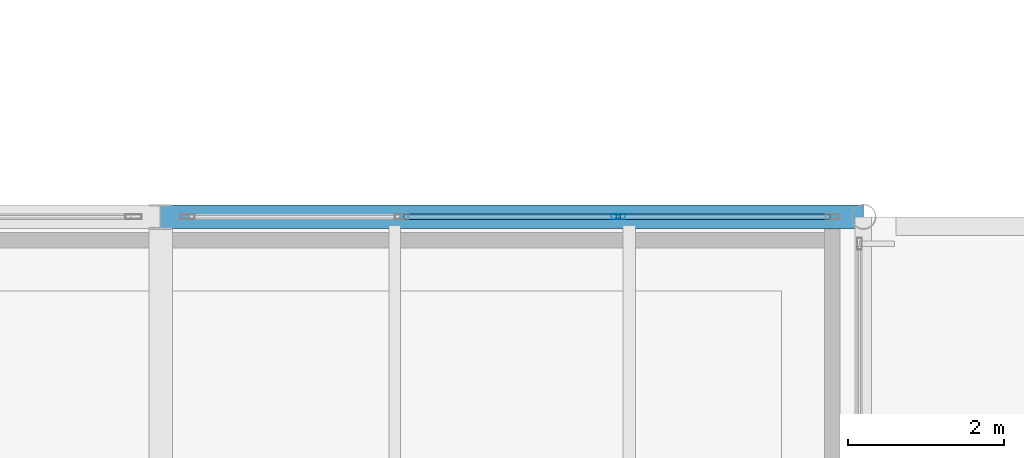
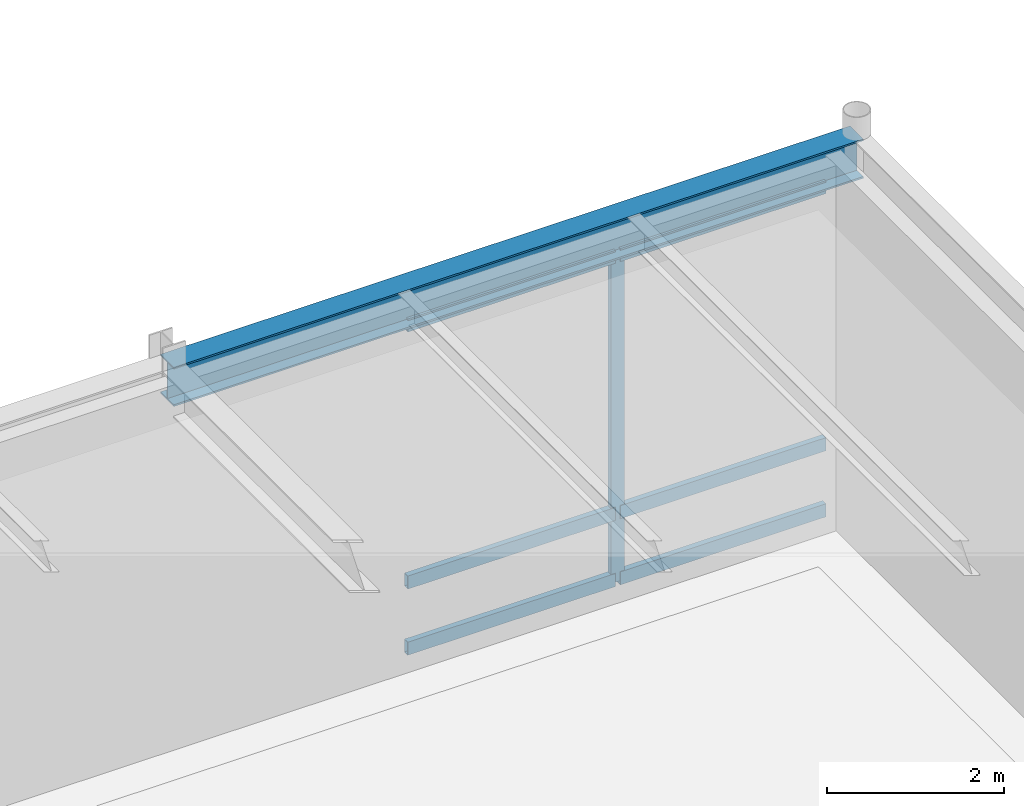
# One storey, part 87 of 143: 7 members, 1 beam, 1 element without a shape of its own.
"""IFC4 building model written with IfcOpenShell, lengths in metres."""

from ifc_helpers import new_model, si_unit, direction, frame, origin, origin_2d, place, context, subcontext, project, spatial, hollow_rectangle, i_section, extrude, material, layer, layer_set, material_profile, profile_set, type_object, element, aggregate, save


model = new_model("IFC4")

# Units and contexts
model_context = context("Model", 3, precision=1e-05, world=origin(), true_north=direction((0.0, 1.0)))
body_context = subcontext(model_context, "Body", "Model", "MODEL_VIEW")
ifc_project = project(units=[si_unit("LENGTHUNIT", "METRE"), si_unit("AREAUNIT", "SQUARE_METRE"), si_unit("VOLUMEUNIT", "CUBIC_METRE"), si_unit("PLANEANGLEUNIT", "RADIAN"), si_unit("MASSUNIT", "GRAM", prefix="KILO")], contexts=[model_context])

# Site, building, storey
site_placement = place(None, origin())
site = spatial("IfcSite", under=ifc_project, at=site_placement, CompositionType="ELEMENT")
building_placement = place(site_placement, origin())
building = spatial("IfcBuilding", under=site, at=building_placement, Name="Montelvaro Courts of Justice", CompositionType="ELEMENT")
storey_placement = place(building_placement, origin())
storey = spatial("IfcBuildingStorey", under=building, at=storey_placement, Name="L00", CompositionType="ELEMENT", Elevation=0.0)

# Beam
ifc_material_1 = material(Name="Steel S355", Category="steel")
ifc_material_profile_1 = material_profile(ifc_material_1, i_section(OverallWidth=0.300048828125, OverallDepth=0.5400390625, WebThickness=0.012451171875, FlangeThickness=0.02392578125, at=origin_2d()), Name="HEA 550")
ifc_profile_set_1 = profile_set([ifc_material_profile_1], Name="Steel S355")
beam_type = type_object("IfcBeamType", Name="Beam_HEA550", PredefinedType="USERDEFINED", material=ifc_profile_set_1)
beam_placement = place(storey_placement, frame((72.0, 108.0, 4.81005859375), z_axis=(1.0, 0.0, 0.0), x_axis=(0.0, 1.0, 0.0)))
element("IfcBeam", 1, at=beam_placement, inside=storey, type_object=beam_type, Name="Beam B-20 L00", ObjectType="GIRDER", PredefinedType="USERDEFINED", context=body_context, shape_type="SweptSolid", body=[
    extrude(i_section(OverallWidth=0.300048828125, OverallDepth=0.5400390625, WebThickness=0.012451171875, FlangeThickness=0.02392578125, at=origin_2d()), origin(), (0.0, 0.0, 1.0), 9.0),
])

# Curtain wall, members
ifc_material_2 = material(Name="Anodised aluminium EN AW-6063", Category="aluminium")
ifc_layer = layer(ifc_material_2, 0.159912109375)
ifc_layer_set = layer_set([ifc_layer], Name="Anodised aluminium EN AW-6063")
curtain_wall_type = type_object("IfcCurtainWallType", Name="CurtainWall_04_832x508", PredefinedType="USERDEFINED", material=ifc_layer_set)
curtain_wall_placement = place(storey_placement, origin())
curtain_wall = element("IfcCurtainWall", 2, at=curtain_wall_placement, inside=storey, type_object=curtain_wall_type, Name="Curtain Wall CW-04 (L00)", ObjectType="CURTAIN WALL", PredefinedType="USERDEFINED")
ifc_material_profile_2 = material_profile(ifc_material_2, hollow_rectangle(XDim=0.06005859375, YDim=0.179931640625, WallThickness=0.00439453125, at=origin_2d()), Name="ALU-M 60x180")
ifc_profile_set_2 = profile_set([ifc_material_profile_2], Name="Anodised aluminium EN AW-6063")
member_type_1 = type_object("IfcMemberType", Name="CurtainWall_Mullion_60x180", PredefinedType="MULLION", material=ifc_profile_set_2)
member_1_placement = place(storey_placement, frame((77.861572265625, 108.0, 0.0), z_axis=(0.0, 0.0, 1.0), x_axis=(0.0, -1.0, 0.0)))
member_1 = element("IfcMember", 3, at=member_1_placement, type_object=member_type_1, Name="CW-04 mullion 2", PredefinedType="MULLION", context=body_context, shape_type="SweptSolid", body=[
    extrude(hollow_rectangle(XDim=0.06005859375, YDim=0.179931640625, WallThickness=0.00439453125, at=origin_2d()), origin(), (0.0, 0.0, 1.0), 4.534912109375),
])
ifc_material_profile_3 = material_profile(ifc_material_2, hollow_rectangle(XDim=0.074951171875, YDim=0.179931640625, WallThickness=0.0048828125, at=origin_2d()), Name="ALU-T 75x180")
ifc_profile_set_3 = profile_set([ifc_material_profile_3], Name="Anodised aluminium EN AW-6063")
member_type_2 = type_object("IfcMemberType", Name="CurtainWall_Transom_75x180", PredefinedType="USERDEFINED", material=ifc_profile_set_3)
member_2_placement = place(storey_placement, frame((80.574951171875, 108.0, 0.03759765625), z_axis=(-1.0, 0.0, 0.0), x_axis=(0.0, -1.0, 0.0)))
member_2 = element("IfcMember", 4, at=member_2_placement, type_object=member_type_2, Name="CW-04 transom 1.1", ObjectType="TRANSOM", PredefinedType="USERDEFINED", context=body_context, shape_type="SweptSolid", body=[
    extrude(hollow_rectangle(XDim=0.074951171875, YDim=0.179931640625, WallThickness=0.0048828125, at=origin_2d()), origin(), (0.0, 0.0, 1.0), 2.683349609375),
])
member_3_placement = place(storey_placement, frame((80.574951171875, 108.0, 0.949951171875), z_axis=(-1.0, 0.0, 0.0), x_axis=(0.0, -1.0, 0.0)))
member_3 = element("IfcMember", 5, at=member_3_placement, type_object=member_type_2, Name="CW-04 transom 1.2", ObjectType="TRANSOM", PredefinedType="USERDEFINED", context=body_context, shape_type="SweptSolid", body=[
    extrude(hollow_rectangle(XDim=0.074951171875, YDim=0.179931640625, WallThickness=0.0048828125, at=origin_2d()), origin(), (0.0, 0.0, 1.0), 2.683349609375),
])
member_4_placement = place(storey_placement, frame((80.574951171875, 108.0, 4.49755859375), z_axis=(-1.0, 0.0, 0.0), x_axis=(0.0, -1.0, 0.0)))
member_4 = element("IfcMember", 6, at=member_4_placement, type_object=member_type_2, Name="CW-04 transom 1.3", ObjectType="TRANSOM", PredefinedType="USERDEFINED", context=body_context, shape_type="SweptSolid", body=[
    extrude(hollow_rectangle(XDim=0.074951171875, YDim=0.179931640625, WallThickness=0.0048828125, at=origin_2d()), origin(), (0.0, 0.0, 1.0), 2.683349609375),
])
member_5_placement = place(storey_placement, frame((77.831787109375, 108.0, 0.03759765625), z_axis=(-1.0, 0.0, 0.0), x_axis=(0.0, -1.0, 0.0)))
member_5 = element("IfcMember", 7, at=member_5_placement, type_object=member_type_2, Name="CW-04 transom 2.1", ObjectType="TRANSOM", PredefinedType="USERDEFINED", context=body_context, shape_type="SweptSolid", body=[
    extrude(hollow_rectangle(XDim=0.074951171875, YDim=0.179931640625, WallThickness=0.0048828125, at=origin_2d()), origin(), (0.0, 0.0, 1.0), 2.71337890625),
])
member_6_placement = place(storey_placement, frame((77.831787109375, 108.0, 0.949951171875), z_axis=(-1.0, 0.0, 0.0), x_axis=(0.0, -1.0, 0.0)))
member_6 = element("IfcMember", 8, at=member_6_placement, type_object=member_type_2, Name="CW-04 transom 2.2", ObjectType="TRANSOM", PredefinedType="USERDEFINED", context=body_context, shape_type="SweptSolid", body=[
    extrude(hollow_rectangle(XDim=0.074951171875, YDim=0.179931640625, WallThickness=0.0048828125, at=origin_2d()), origin(), (0.0, 0.0, 1.0), 2.71337890625),
])
member_7_placement = place(storey_placement, frame((77.831787109375, 108.0, 4.49755859375), z_axis=(-1.0, 0.0, 0.0), x_axis=(0.0, -1.0, 0.0)))
member_7 = element("IfcMember", 9, at=member_7_placement, type_object=member_type_2, Name="CW-04 transom 2.3", ObjectType="TRANSOM", PredefinedType="USERDEFINED", context=body_context, shape_type="SweptSolid", body=[
    extrude(hollow_rectangle(XDim=0.074951171875, YDim=0.179931640625, WallThickness=0.0048828125, at=origin_2d()), origin(), (0.0, 0.0, 1.0), 2.71337890625),
])
aggregate(curtain_wall, [member_1, member_2, member_3, member_4, member_5, member_6, member_7])

save(model, "model.ifc")
